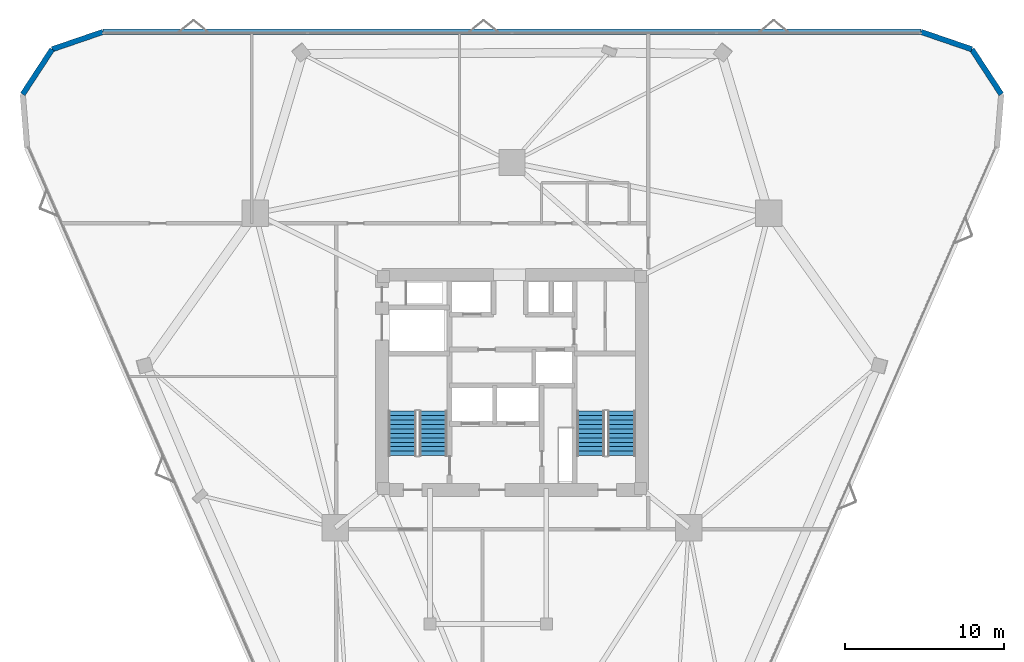
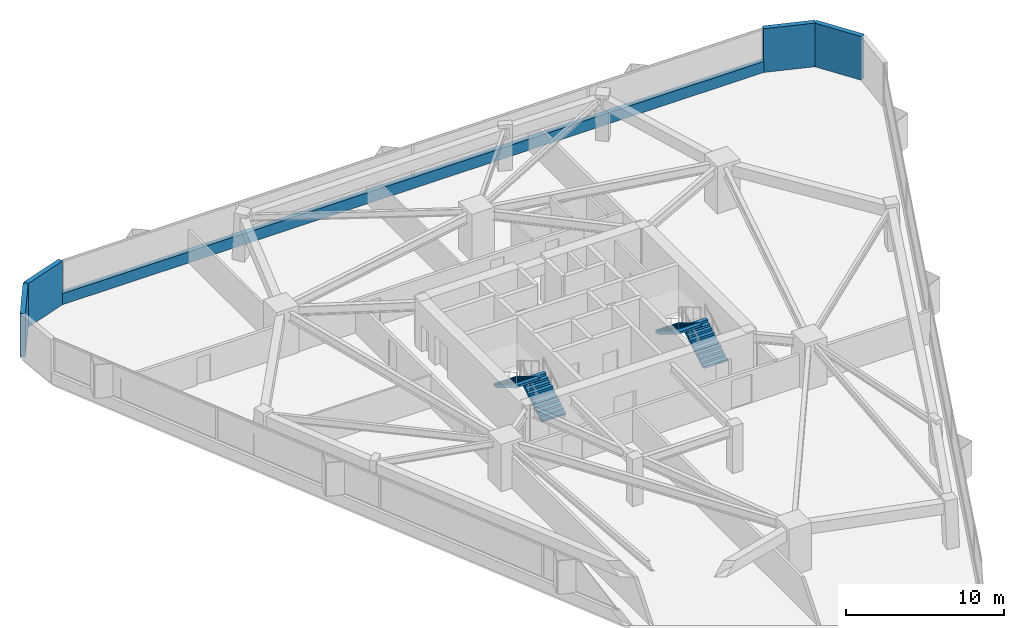
# One storey, part 15 of 16: 5 walls, 4 stair flights, 2 elements without a shape of their own.
"""IFC4 building model written with IfcOpenShell, lengths in metres."""

from ifc_helpers import new_model, si_unit, direction, frame, frame_2d, origin, place, context, subcontext, project, spatial, polyline, rectangle, outline, extrude, material, layer, layer_set, type_object, element, aggregate, save


model = new_model("IFC4")

# Units and contexts
model_context = context("Model", 3, precision=1e-05, world=origin(), true_north=direction((0.0, 1.0)))
body_context = subcontext(model_context, "Body", "Model", "MODEL_VIEW")
ifc_project = project(units=[si_unit("LENGTHUNIT", "METRE"), si_unit("AREAUNIT", "SQUARE_METRE"), si_unit("VOLUMEUNIT", "CUBIC_METRE"), si_unit("PLANEANGLEUNIT", "RADIAN"), si_unit("MASSUNIT", "GRAM", prefix="KILO")], contexts=[model_context])

# Site, building, storey
site_placement = place(None, origin())
site = spatial("IfcSite", under=ifc_project, at=site_placement, CompositionType="ELEMENT")
building_placement = place(site_placement, origin())
building = spatial("IfcBuilding", under=site, at=building_placement, Name="Talyreon Biosciences Tower", CompositionType="ELEMENT")
storey_placement = place(building_placement, frame((0.0, 0.0, 107.85009765625)))
storey = spatial("IfcBuildingStorey", under=building, at=storey_placement, Name="L28", CompositionType="ELEMENT", Elevation=107.85009765625)

# Walls
ifc_material_1 = material(Name="Precast concrete C45/55", Category="concrete")
ifc_layer = layer(ifc_material_1, 0.340087890625)
ifc_layer_set = layer_set([ifc_layer], Name="Precast concrete C45/55")
wall_type = type_object("IfcWallType", Name="PrecastConcreteSpandrelWall_340", PredefinedType="STANDARD", material=ifc_layer_set)
for number, where, z_axis, x_axis, name in (
    (1, (35.306396484375, 86.068115234375, 0.0), (0.0, 0.0, 1.0), (0.547617733051, 0.836728640868, 0.0), "L28 Rounded-Corner Concrete Pier 02"),
    (2, (37.154296875, 88.8916015625, 0.0), (0.0, 0.0, 1.0), (0.945890758883, 0.324485241976, 0.0), "L28 Rounded-Corner Concrete Pier 03"),
):
    element("IfcWall", number, at=place(storey_placement, frame(where, z_axis=z_axis, x_axis=x_axis)), inside=storey, type_object=wall_type, Name=name, PredefinedType="STANDARD", context=body_context, shape_type="SweptSolid", body=[
        extrude(rectangle(XDim=3.37451171875, YDim=0.340087890625, at=frame_2d((1.687255859375, 0.0))), origin(), (0.0, 0.0, 1.0), 3.375),
    ])
wall_placement = place(storey_placement, frame((40.34619140625, 89.986572265625, 0.0), z_axis=(0.0, 0.0, 1.0), x_axis=(1.0, 0.0, 0.0)))
element("IfcWall", 3, at=wall_placement, inside=storey, type_object=wall_type, Name="L28 Expressed Concrete Sill Wall 04", PredefinedType="STANDARD", context=body_context, shape_type="SweptSolid", body=[
    extrude(rectangle(XDim=51.3076171875, YDim=0.340087890625, at=frame_2d((25.65380859375, 0.0))), origin(), (0.0, 0.0, 1.0), 0.849853515625),
])
for number, where, z_axis, x_axis, name in (
    (4, (91.65380859375, 89.986572265625, 0.0), (0.0, 0.0, 1.0), (0.945890758883, -0.324485241976, 0.0), "L28 Rounded-Corner Concrete Pier 05"),
    (5, (94.845703125, 88.8916015625, 0.0), (0.0, 0.0, 1.0), (0.547617733051, -0.836728640868, 0.0), "L28 Rounded-Corner Concrete Pier 06"),
):
    element("IfcWall", number, at=place(storey_placement, frame(where, z_axis=z_axis, x_axis=x_axis)), inside=storey, type_object=wall_type, Name=name, PredefinedType="STANDARD", context=body_context, shape_type="SweptSolid", body=[
        extrude(rectangle(XDim=3.37451171875, YDim=0.340087890625, at=frame_2d((1.687255859375, 0.0))), origin(), (0.0, 0.0, 1.0), 3.375),
    ])

# Stair, stair flights
ifc_material_2 = material(Name="Concrete C40/50", Category="concrete")
stair_type = type_object("IfcStairType", Name="DoglegEscapeStair_3650", PredefinedType="HALF_TURN_STAIR", material=ifc_material_2)
stair_1_placement = place(storey_placement, origin())
stair_1 = element("IfcStair", 6, at=stair_1_placement, inside=storey, type_object=stair_type, Name="L28 Core Escape Stair 1", PredefinedType="HALF_TURN_STAIR")
stair_flight_type = type_object("IfcStairFlightType", Name="PrecastStairFlight_3650", PredefinedType="STRAIGHT", material=ifc_material_2)
stair_flight_1_placement = place(storey_placement, frame((61.06005859375, 63.39990234375, 0.0), z_axis=(0.0, 0.0, 1.0), x_axis=(0.0, 1.0, 0.0)))
stair_flight_1 = element("IfcStairFlight", 7, at=stair_flight_1_placement, type_object=stair_flight_type, Name="ST-1 flight 1", NumberOfRisers=11, NumberOfTreads=10, PredefinedType="STRAIGHT", RiserHeight=0.165909091, TreadLength=0.28, context=body_context, shape_type="SweptSolid", body=[
    extrude(outline(polyline([(0.0, 0.0), (0.0, 0.166015625), (0.280029296875, 0.166015625), (0.280029296875, 0.331787109375), (0.56005859375, 0.331787109375), (0.56005859375, 0.497802734375), (0.840087890625, 0.497802734375), (0.840087890625, 0.66357421875), (1.1201171875, 0.66357421875), (1.1201171875, 0.82958984375), (1.39990234375, 0.82958984375), (1.39990234375, 0.995361328125), (1.679931640625, 0.995361328125), (1.679931640625, 1.161376953125), (1.9599609375, 1.161376953125), (1.9599609375, 1.327392578125), (2.239990234375, 1.327392578125), (2.239990234375, 1.4931640625), (2.52001953125, 1.4931640625), (2.52001953125, 1.6591796875), (2.800048828125, 1.6591796875), (2.800048828125, 1.824951171875), (2.800048828125, 1.48486328125), (0.2939453125, 0.0), (0.0, 0.0)])), frame((0.0, 0.8701171875, 0.0), z_axis=(0.0, -1.0, 0.0), x_axis=(1.0, 0.0, 0.0)), (0.0, 0.0, 1.0), 1.739990234375),
])
stair_flight_2_placement = place(storey_placement, frame((59.1201171875, 66.199951171875, 1.824951171875), z_axis=(0.0, 0.0, 1.0), x_axis=(0.0, -1.0, 0.0)))
stair_flight_2 = element("IfcStairFlight", 8, at=stair_flight_2_placement, type_object=stair_flight_type, Name="ST-1 flight 2", NumberOfRisers=11, NumberOfTreads=10, PredefinedType="STRAIGHT", RiserHeight=0.165909091, TreadLength=0.28, context=body_context, shape_type="SweptSolid", body=[
    extrude(outline(polyline([(0.0, 0.0), (0.0, 0.166015625), (0.280029296875, 0.166015625), (0.280029296875, 0.331787109375), (0.56005859375, 0.331787109375), (0.56005859375, 0.497802734375), (0.840087890625, 0.497802734375), (0.840087890625, 0.66357421875), (1.1201171875, 0.66357421875), (1.1201171875, 0.82958984375), (1.39990234375, 0.82958984375), (1.39990234375, 0.995361328125), (1.679931640625, 0.995361328125), (1.679931640625, 1.161376953125), (1.9599609375, 1.161376953125), (1.9599609375, 1.327392578125), (2.239990234375, 1.327392578125), (2.239990234375, 1.4931640625), (2.52001953125, 1.4931640625), (2.52001953125, 1.6591796875), (2.800048828125, 1.6591796875), (2.800048828125, 1.824951171875), (2.800048828125, 1.48486328125), (0.2939453125, 0.0), (0.0, 0.0)])), frame((0.0, 0.8701171875, 0.0), z_axis=(0.0, -1.0, 0.0), x_axis=(1.0, 0.0, 0.0)), (0.0, 0.0, 1.0), 1.739990234375),
])
aggregate(stair_1, [stair_flight_1, stair_flight_2])

stair_2_placement = place(storey_placement, origin())
stair_2 = element("IfcStair", 9, at=stair_2_placement, inside=storey, type_object=stair_type, Name="L28 Core Escape Stair 2", PredefinedType="HALF_TURN_STAIR")
stair_flight_3_placement = place(storey_placement, frame((72.8798828125, 63.39990234375, 0.0), z_axis=(0.0, 0.0, 1.0), x_axis=(0.0, 1.0, 0.0)))
stair_flight_3 = element("IfcStairFlight", 10, at=stair_flight_3_placement, type_object=stair_flight_type, Name="ST-2 flight 1", NumberOfRisers=11, NumberOfTreads=10, PredefinedType="STRAIGHT", RiserHeight=0.165909091, TreadLength=0.28, context=body_context, shape_type="SweptSolid", body=[
    extrude(outline(polyline([(0.0, 0.0), (0.0, 0.166015625), (0.280029296875, 0.166015625), (0.280029296875, 0.331787109375), (0.56005859375, 0.331787109375), (0.56005859375, 0.497802734375), (0.840087890625, 0.497802734375), (0.840087890625, 0.66357421875), (1.1201171875, 0.66357421875), (1.1201171875, 0.82958984375), (1.39990234375, 0.82958984375), (1.39990234375, 0.995361328125), (1.679931640625, 0.995361328125), (1.679931640625, 1.161376953125), (1.9599609375, 1.161376953125), (1.9599609375, 1.327392578125), (2.239990234375, 1.327392578125), (2.239990234375, 1.4931640625), (2.52001953125, 1.4931640625), (2.52001953125, 1.6591796875), (2.800048828125, 1.6591796875), (2.800048828125, 1.824951171875), (2.800048828125, 1.48486328125), (0.2939453125, 0.0), (0.0, 0.0)])), frame((0.0, 0.8701171875, 0.0), z_axis=(0.0, -1.0, 0.0), x_axis=(1.0, 0.0, 0.0)), (0.0, 0.0, 1.0), 1.739990234375),
])
stair_flight_4_placement = place(storey_placement, frame((70.93994140625, 66.199951171875, 1.824951171875), z_axis=(0.0, 0.0, 1.0), x_axis=(0.0, -1.0, 0.0)))
stair_flight_4 = element("IfcStairFlight", 11, at=stair_flight_4_placement, type_object=stair_flight_type, Name="ST-2 flight 2", NumberOfRisers=11, NumberOfTreads=10, PredefinedType="STRAIGHT", RiserHeight=0.165909091, TreadLength=0.28, context=body_context, shape_type="SweptSolid", body=[
    extrude(outline(polyline([(0.0, 0.0), (0.0, 0.166015625), (0.280029296875, 0.166015625), (0.280029296875, 0.331787109375), (0.56005859375, 0.331787109375), (0.56005859375, 0.497802734375), (0.840087890625, 0.497802734375), (0.840087890625, 0.66357421875), (1.1201171875, 0.66357421875), (1.1201171875, 0.82958984375), (1.39990234375, 0.82958984375), (1.39990234375, 0.995361328125), (1.679931640625, 0.995361328125), (1.679931640625, 1.161376953125), (1.9599609375, 1.161376953125), (1.9599609375, 1.327392578125), (2.239990234375, 1.327392578125), (2.239990234375, 1.4931640625), (2.52001953125, 1.4931640625), (2.52001953125, 1.6591796875), (2.800048828125, 1.6591796875), (2.800048828125, 1.824951171875), (2.800048828125, 1.48486328125), (0.2939453125, 0.0), (0.0, 0.0)])), frame((0.0, 0.8701171875, 0.0), z_axis=(0.0, -1.0, 0.0), x_axis=(1.0, 0.0, 0.0)), (0.0, 0.0, 1.0), 1.739990234375),
])
aggregate(stair_2, [stair_flight_3, stair_flight_4])

save(model, "model.ifc")
